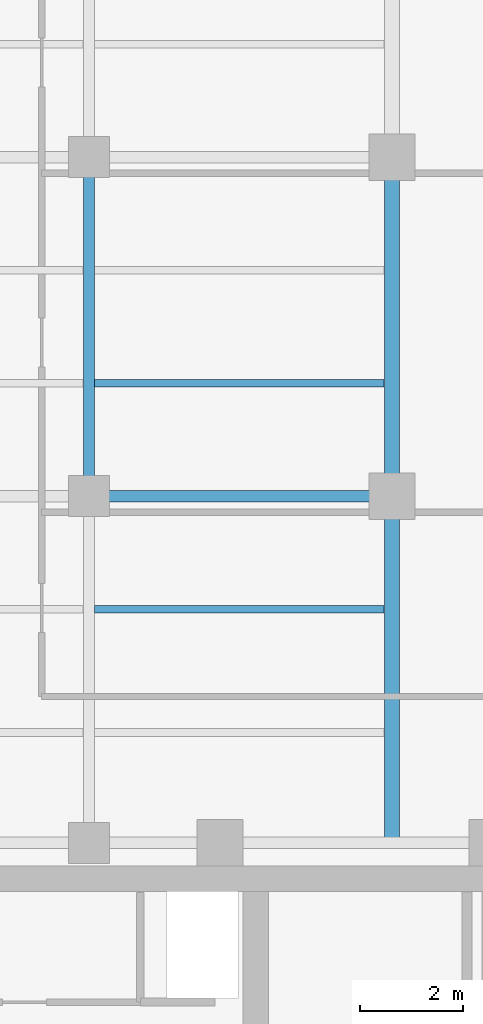
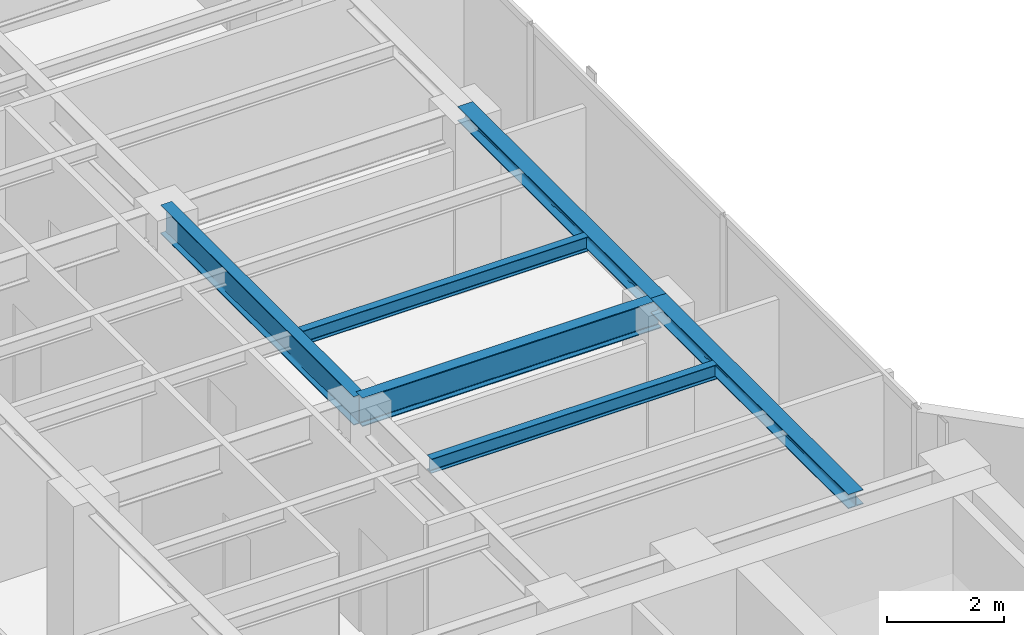
# One storey, part 9 of 22: 6 beams.
"""IFC4 building model written with IfcOpenShell, lengths in metres."""

from ifc_helpers import new_model, si_unit, direction, frame, origin, origin_2d, place, context, subcontext, project, spatial, i_section, extrude, material, material_profile, profile_set, type_object, element, save


model = new_model("IFC4")

# Units and contexts
model_context = context("Model", 3, precision=1e-05, world=origin(), true_north=direction((0.0, 1.0)))
body_context = subcontext(model_context, "Body", "Model", "MODEL_VIEW")
ifc_project = project(units=[si_unit("LENGTHUNIT", "METRE"), si_unit("AREAUNIT", "SQUARE_METRE"), si_unit("VOLUMEUNIT", "CUBIC_METRE"), si_unit("PLANEANGLEUNIT", "RADIAN"), si_unit("MASSUNIT", "GRAM", prefix="KILO")], contexts=[model_context])

# Site, building, storey
site_placement = place(None, origin())
site = spatial("IfcSite", under=ifc_project, at=site_placement, CompositionType="ELEMENT")
building_placement = place(site_placement, origin())
building = spatial("IfcBuilding", under=site, at=building_placement, Name="Kolvaren Waterfront Exchange", CompositionType="ELEMENT")
storey_placement = place(building_placement, frame((0.0, 0.0, 327.39990234375)))
storey = spatial("IfcBuildingStorey", under=building, at=storey_placement, Name="L84", CompositionType="ELEMENT", Elevation=327.39990234375)

# Beams
ifc_material = material(Name="Steel S355", Category="steel")
ifc_material_profile_1 = material_profile(ifc_material, i_section(OverallWidth=0.300048828125, OverallDepth=0.300048828125, WebThickness=0.010986328125, FlangeThickness=0.01904296875, FilletRadius=0.027099609375, at=origin_2d()), Name="HEB300")
ifc_profile_set_1 = profile_set([ifc_material_profile_1], Name="Steel S355")
beam_type_1 = type_object("IfcBeamType", Name="STR-BM-HEB300", PredefinedType="SPANDREL", material=ifc_profile_set_1)
beam_1_placement = place(storey_placement, frame((18.800048828125, 24.449951171875, 3.41015625), z_axis=(0.0, 1.0, 0.0), x_axis=(-1.0, 0.0, 0.0)))
element("IfcBeam", 1, at=beam_1_placement, inside=storey, type_object=beam_type_1, Name="L84 north-arm edge beam 1", PredefinedType="SPANDREL", context=body_context, shape_type="SweptSolid", body=[
    extrude(i_section(OverallWidth=0.300048828125, OverallDepth=0.300048828125, WebThickness=0.010986328125, FlangeThickness=0.01904296875, FilletRadius=0.027099609375, at=origin_2d()), origin(), (0.0, 0.0, 1.0), 6.75),
])
beam_2_placement = place(storey_placement, frame((18.800048828125, 31.199951171875, 3.41015625), z_axis=(0.0, 1.0, 0.0), x_axis=(-1.0, 0.0, 0.0)))
element("IfcBeam", 2, at=beam_2_placement, inside=storey, type_object=beam_type_1, Name="L84 north-arm edge beam 2", PredefinedType="SPANDREL", context=body_context, shape_type="SweptSolid", body=[
    extrude(i_section(OverallWidth=0.300048828125, OverallDepth=0.300048828125, WebThickness=0.010986328125, FlangeThickness=0.01904296875, FilletRadius=0.027099609375, at=origin_2d()), origin(), (0.0, 0.0, 1.0), 6.60009765625),
])
ifc_material_profile_2 = material_profile(ifc_material, i_section(OverallWidth=0.14990234375, OverallDepth=0.300048828125, WebThickness=0.007080078125, FlangeThickness=0.0107421875, FilletRadius=0.014892578125, at=origin_2d()), Name="IPE300")
ifc_profile_set_2 = profile_set([ifc_material_profile_2], Name="Steel S355")
beam_type_2 = type_object("IfcBeamType", Name="STR-BM-IPE300", PredefinedType="JOIST", material=ifc_profile_set_2)
for number, where, z_axis, x_axis, name in (
    (3, (13.011962890625, 29.0, 3.41015625), (1.0, 0.0, 0.0), (0.0, 1.0, 0.0), "L84 north-arm composite joist 2B"),
    (4, (13.011962890625, 33.39990234375, 3.41015625), (1.0, 0.0, 0.0), (0.0, 1.0, 0.0), "L84 north-arm composite joist 3B"),
):
    element("IfcBeam", number, at=place(storey_placement, frame(where, z_axis=z_axis, x_axis=x_axis)), inside=storey, type_object=beam_type_2, Name=name, PredefinedType="JOIST", context=body_context, shape_type="SweptSolid", body=[
        extrude(i_section(OverallWidth=0.14990234375, OverallDepth=0.300048828125, WebThickness=0.007080078125, FlangeThickness=0.0107421875, FilletRadius=0.014892578125, at=origin_2d()), origin(), (0.0, 0.0, 1.0), 5.635986328125),
    ])
ifc_material_profile_3 = material_profile(ifc_material, i_section(OverallWidth=0.219970703125, OverallDepth=0.60009765625, WebThickness=0.011962890625, FlangeThickness=0.01904296875, FilletRadius=0.02392578125, at=origin_2d()), Name="IPE600")
ifc_profile_set_3 = profile_set([ifc_material_profile_3], Name="Steel S355")
beam_type_3 = type_object("IfcBeamType", Name="STR-BM-IPE600", PredefinedType="BEAM", material=ifc_profile_set_3)
beam_3_placement = place(storey_placement, frame((12.89990234375, 31.199951171875, 3.260009765625), z_axis=(1.0, 0.0, 0.0), x_axis=(0.0, 1.0, 0.0)))
element("IfcBeam", 5, at=beam_3_placement, inside=storey, type_object=beam_type_3, Name="L84 north-arm girder 2B", PredefinedType="BEAM", context=body_context, shape_type="SweptSolid", body=[
    extrude(i_section(OverallWidth=0.219970703125, OverallDepth=0.60009765625, WebThickness=0.011962890625, FlangeThickness=0.01904296875, FilletRadius=0.02392578125, at=origin_2d()), origin(), (0.0, 0.0, 1.0), 5.900146484375),
])
beam_4_placement = place(storey_placement, frame((12.89990234375, 31.199951171875, 3.260009765625), z_axis=(0.0, 1.0, 0.0), x_axis=(-1.0, 0.0, 0.0)))
element("IfcBeam", 6, at=beam_4_placement, inside=storey, type_object=beam_type_3, Name="L84 north-arm edge beam 2", PredefinedType="BEAM", context=body_context, shape_type="SweptSolid", body=[
    extrude(i_section(OverallWidth=0.219970703125, OverallDepth=0.60009765625, WebThickness=0.011962890625, FlangeThickness=0.01904296875, FilletRadius=0.02392578125, at=origin_2d()), origin(), (0.0, 0.0, 1.0), 6.60009765625),
])

save(model, "model.ifc")
